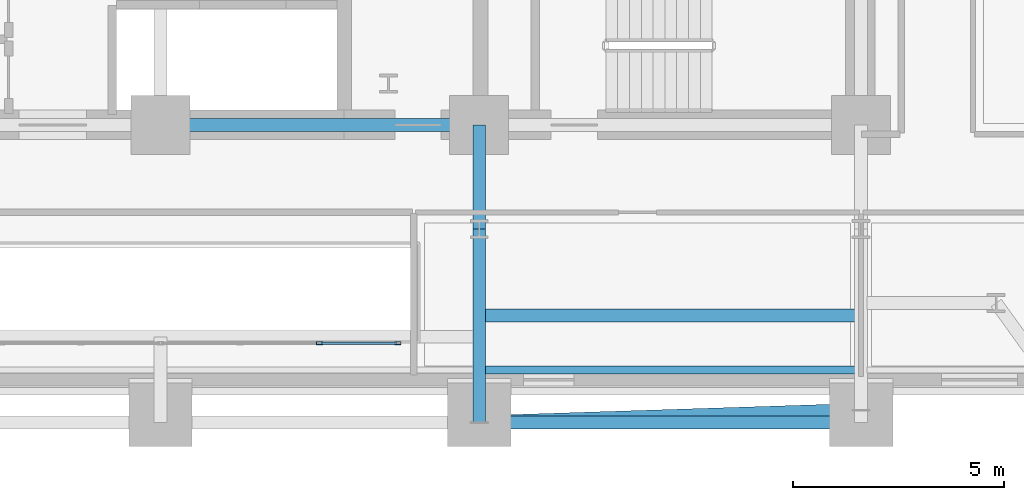
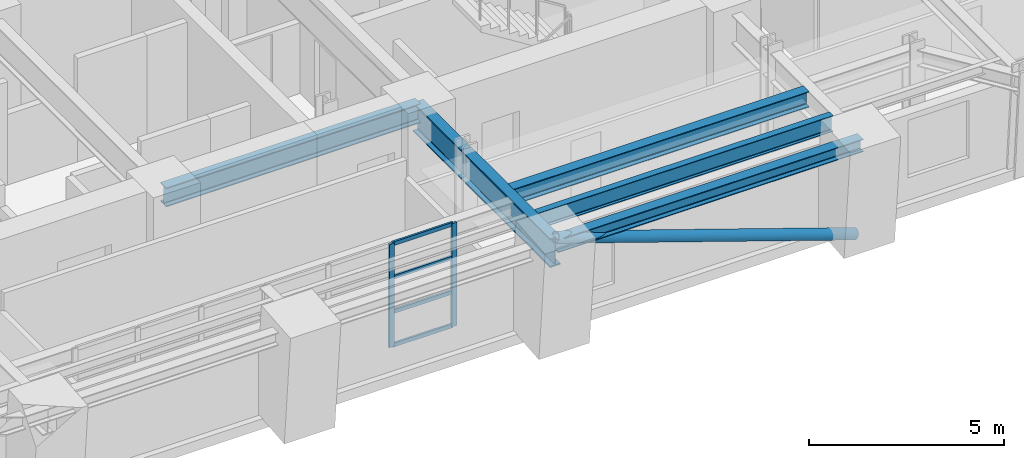
# One storey, part 5 of 15: 7 members, 6 beams, 1 element without a shape of its own.
"""IFC4 building model written with IfcOpenShell, lengths in metres."""

from ifc_helpers import new_model, si_unit, direction, frame, origin, origin_2d, place, context, subcontext, project, spatial, hollow_rectangle, hollow_circle, i_section, extrude, material, layer, layer_set, material_profile, profile_set, type_object, element, aggregate, save


model = new_model("IFC4")

# Units and contexts
model_context = context("Model", 3, precision=1e-05, world=origin(), true_north=direction((0.0, 1.0)))
body_context = subcontext(model_context, "Body", "Model", "MODEL_VIEW")
ifc_project = project(units=[si_unit("LENGTHUNIT", "METRE"), si_unit("AREAUNIT", "SQUARE_METRE"), si_unit("VOLUMEUNIT", "CUBIC_METRE"), si_unit("PLANEANGLEUNIT", "RADIAN"), si_unit("MASSUNIT", "GRAM", prefix="KILO")], contexts=[model_context])

# Site, building, storey
site_placement = place(None, origin())
site = spatial("IfcSite", under=ifc_project, at=site_placement, CompositionType="ELEMENT")
building_placement = place(site_placement, origin())
building = spatial("IfcBuilding", under=site, at=building_placement, Name="Zarnavel Station Tower", CompositionType="ELEMENT")
storey_placement = place(building_placement, frame((0.0, 0.0, 57.0)))
storey = spatial("IfcBuildingStorey", under=building, at=storey_placement, Name="L15", CompositionType="ELEMENT", Elevation=57.0)

# Curtain wall, members
ifc_material_1 = material(Name="Aluminium Dark Anodised and Solar-Control Glass", Category="aluminium")
ifc_layer = layer(ifc_material_1, 0.179931640625)
ifc_layer_set = layer_set([ifc_layer], Name="CWS2")
curtain_wall_type = type_object("IfcCurtainWallType", Name="CWS2", PredefinedType="NOTDEFINED", material=ifc_layer_set)
curtain_wall_placement = place(storey_placement, origin())
curtain_wall = element("IfcCurtainWall", 1, at=curtain_wall_placement, inside=storey, type_object=curtain_wall_type, Name="L15 Curtain Wall CWS2-L15-AS", PredefinedType="NOTDEFINED")
ifc_material_2 = material(Name="Steel S355J2 (Black Fluoropolymer Coated)", Category="steel")
ifc_material_profile_1 = material_profile(ifc_material_2, hollow_rectangle(XDim=0.074951171875, YDim=0.14990234375, WallThickness=0.00634765625, at=origin_2d()), Name="RHS150x75x6.3")
ifc_profile_set_1 = profile_set([ifc_material_profile_1], Name="Steel S355J2 (Black Fluoropolymer Coated)")
member_type_1 = type_object("IfcMemberType", Name="CWS2_MUL", PredefinedType="MULLION", material=ifc_profile_set_1)
member_1_placement = place(storey_placement, frame((32.566650390625, 22.64990234375, 0.0), z_axis=(0.0, 0.0, 1.0), x_axis=(0.0, 1.0, 0.0)))
member_1 = element("IfcMember", 2, at=member_1_placement, type_object=member_type_1, Name="CW2 mullion 6", PredefinedType="MULLION", context=body_context, shape_type="SweptSolid", body=[
    extrude(hollow_rectangle(XDim=0.074951171875, YDim=0.14990234375, WallThickness=0.00634765625, at=origin_2d()), origin(), (0.0, 0.0, 1.0), 3.239990234375),
])
member_2_placement = place(storey_placement, frame((34.419921875, 22.64990234375, 0.0), z_axis=(0.0, 0.0, 1.0), x_axis=(0.0, 1.0, 0.0)))
member_2 = element("IfcMember", 3, at=member_2_placement, type_object=member_type_1, Name="CW2 mullion 7", PredefinedType="MULLION", context=body_context, shape_type="SweptSolid", body=[
    extrude(hollow_rectangle(XDim=0.074951171875, YDim=0.14990234375, WallThickness=0.00634765625, at=origin_2d()), origin(), (0.0, 0.0, 1.0), 3.239990234375),
])
ifc_material_3 = material(Name="Steel S355J2 (Black Fluoropolymer Coated)", Category="steel")
ifc_material_profile_2 = material_profile(ifc_material_3, hollow_rectangle(XDim=0.06005859375, YDim=0.1201171875, WallThickness=0.0048828125, at=origin_2d()), Name="RHS120x60x5")
ifc_profile_set_2 = profile_set([ifc_material_profile_2], Name="Steel S355J2 (Black Fluoropolymer Coated)")
member_type_2 = type_object("IfcMemberType", Name="CWS2_TRN", PredefinedType="USERDEFINED", material=ifc_profile_set_2)
member_3_placement = place(storey_placement, frame((32.5966796875, 22.64990234375, 0.030029296875), z_axis=(1.0, 0.0, 0.0), x_axis=(0.0, 1.0, 0.0)))
member_3 = element("IfcMember", 4, at=member_3_placement, type_object=member_type_2, Name="CW2 transom 6.1", ObjectType="TRANSOM", PredefinedType="USERDEFINED", context=body_context, shape_type="SweptSolid", body=[
    extrude(hollow_rectangle(XDim=0.06005859375, YDim=0.1201171875, WallThickness=0.0048828125, at=origin_2d()), origin(), (0.0, 0.0, 1.0), 1.793212890625),
])
member_4_placement = place(storey_placement, frame((32.5966796875, 22.64990234375, 1.080078125), z_axis=(1.0, 0.0, 0.0), x_axis=(0.0, 1.0, 0.0)))
member_4 = element("IfcMember", 5, at=member_4_placement, type_object=member_type_2, Name="CW2 transom 6.2", ObjectType="TRANSOM", PredefinedType="USERDEFINED", context=body_context, shape_type="SweptSolid", body=[
    extrude(hollow_rectangle(XDim=0.06005859375, YDim=0.1201171875, WallThickness=0.0048828125, at=origin_2d()), origin(), (0.0, 0.0, 1.0), 1.793212890625),
])
member_5_placement = place(storey_placement, frame((32.5966796875, 22.64990234375, 2.159912109375), z_axis=(1.0, 0.0, 0.0), x_axis=(0.0, 1.0, 0.0)))
member_5 = element("IfcMember", 6, at=member_5_placement, type_object=member_type_2, Name="CW2 transom 6.3", ObjectType="TRANSOM", PredefinedType="USERDEFINED", context=body_context, shape_type="SweptSolid", body=[
    extrude(hollow_rectangle(XDim=0.06005859375, YDim=0.1201171875, WallThickness=0.0048828125, at=origin_2d()), origin(), (0.0, 0.0, 1.0), 1.793212890625),
])
member_6_placement = place(storey_placement, frame((32.5966796875, 22.64990234375, 3.2099609375), z_axis=(1.0, 0.0, 0.0), x_axis=(0.0, 1.0, 0.0)))
member_6 = element("IfcMember", 7, at=member_6_placement, type_object=member_type_2, Name="CW2 transom 6.4", ObjectType="TRANSOM", PredefinedType="USERDEFINED", context=body_context, shape_type="SweptSolid", body=[
    extrude(hollow_rectangle(XDim=0.06005859375, YDim=0.1201171875, WallThickness=0.0048828125, at=origin_2d()), origin(), (0.0, 0.0, 1.0), 1.793212890625),
])
aggregate(curtain_wall, [member_1, member_2, member_3, member_4, member_5, member_6])

# Member
ifc_material_4 = material(Name="Steel S355J2", Category="steel")
ifc_material_profile_3 = material_profile(ifc_material_4, hollow_circle(Radius=0.161865234375, WallThickness=0.012451171875, at=origin_2d()), Name="CHS323.9x12.5")
ifc_profile_set_3 = profile_set([ifc_material_profile_3], Name="Steel S355J2")
member_type_3 = type_object("IfcMemberType", Name="DB_EXT_CHS324", PredefinedType="BRACE", material=ifc_profile_set_3)
member_7_placement = place(storey_placement, frame((45.39990234375, 21.0625, 0.0), z_axis=(-0.941042303893, -0.030515076327, 0.336909798612), x_axis=(0.032409856061, -0.999474662625, 0.0)))
element("IfcMember", 8, at=member_7_placement, inside=storey, type_object=member_type_3, Name="L15 Persian Exterior Diagonal Frame Brace 2", PredefinedType="BRACE", context=body_context, shape_type="SweptSolid", body=[
    extrude(hollow_circle(Radius=0.161865234375, WallThickness=0.012451171875, at=origin_2d()), origin(), (0.0, 0.0, 1.0), 9.61669921875),
])

# Beams
ifc_material_5 = material(Name="Steel S355J2", Category="steel")
ifc_material_profile_4 = material_profile(ifc_material_5, i_section(OverallWidth=0.300048828125, OverallDepth=0.39990234375, WebThickness=0.013427734375, FlangeThickness=0.02392578125, FilletRadius=0.027099609375, at=origin_2d()), Name="HEB400")
ifc_profile_set_4 = profile_set([ifc_material_profile_4], Name="Steel S355J2")
beam_type_1 = type_object("IfcBeamType", Name="EB_HEB400", PredefinedType="SPANDREL", material=ifc_profile_set_4)
beam_1_placement = place(storey_placement, frame((36.35009765625, 20.76904296875, 3.0400390625), z_axis=(1.0, 0.0, 0.0), x_axis=(0.0, 1.0, 0.0)))
element("IfcBeam", 9, at=beam_1_placement, inside=storey, type_object=beam_type_1, Name="L15 South Raked Spandrel 4", PredefinedType="SPANDREL", context=body_context, shape_type="SweptSolid", body=[
    extrude(i_section(OverallWidth=0.300048828125, OverallDepth=0.39990234375, WebThickness=0.013427734375, FlangeThickness=0.02392578125, FilletRadius=0.027099609375, at=origin_2d()), origin(), (0.0, 0.0, 1.0), 9.0498046875),
])
ifc_material_6 = material(Name="Steel S355J2", Category="steel")
ifc_material_profile_5 = material_profile(ifc_material_6, i_section(OverallWidth=0.300048828125, OverallDepth=0.489990234375, WebThickness=0.011962890625, FlangeThickness=0.02294921875, FilletRadius=0.027099609375, at=origin_2d()), Name="HEA500")
ifc_profile_set_5 = profile_set([ifc_material_profile_5], Name="Steel S355J2")
beam_type_2 = type_object("IfcBeamType", Name="FB_HEA500", PredefinedType="BEAM", material=ifc_profile_set_5)
beam_2_placement = place(storey_placement, frame((36.4951171875, 23.306396484375, 2.9951171875), z_axis=(1.0, 0.0, 0.0), x_axis=(0.0, 1.0, 0.0)))
element("IfcBeam", 10, at=beam_2_placement, inside=storey, type_object=beam_type_2, Name="L15 East Bay Beam 2", PredefinedType="BEAM", context=body_context, shape_type="SweptSolid", body=[
    extrude(i_section(OverallWidth=0.300048828125, OverallDepth=0.489990234375, WebThickness=0.011962890625, FlangeThickness=0.02294921875, FilletRadius=0.027099609375, at=origin_2d()), origin(), (0.0, 0.0, 1.0), 8.759765625),
])
ifc_material_7 = material(Name="Steel S355J2", Category="steel")
ifc_material_profile_6 = material_profile(ifc_material_7, i_section(OverallWidth=0.199951171875, OverallDepth=0.5, WebThickness=0.01025390625, FlangeThickness=0.01611328125, FilletRadius=0.02099609375, at=origin_2d()), Name="IPE500")
ifc_profile_set_6 = profile_set([ifc_material_profile_6], Name="Steel S355J2")
beam_type_3 = type_object("IfcBeamType", Name="FB_IPE500", PredefinedType="BEAM", material=ifc_profile_set_6)
beam_3_placement = place(storey_placement, frame((36.4951171875, 22.0126953125, 2.989990234375), z_axis=(1.0, 0.0, 0.0), x_axis=(0.0, 1.0, 0.0)))
element("IfcBeam", 11, at=beam_3_placement, inside=storey, type_object=beam_type_3, Name="L15 East Bay Beam 1", PredefinedType="BEAM", context=body_context, shape_type="SweptSolid", body=[
    extrude(i_section(OverallWidth=0.199951171875, OverallDepth=0.5, WebThickness=0.01025390625, FlangeThickness=0.01611328125, FilletRadius=0.02099609375, at=origin_2d()), origin(), (0.0, 0.0, 1.0), 8.759765625),
])
ifc_material_8 = material(Name="Steel S355J2", Category="steel")
ifc_material_profile_7 = material_profile(ifc_material_8, i_section(OverallWidth=0.300048828125, OverallDepth=0.60009765625, WebThickness=0.015380859375, FlangeThickness=0.030029296875, FilletRadius=0.027099609375, at=origin_2d()), Name="HEB600")
ifc_profile_set_7 = profile_set([ifc_material_profile_7], Name="Steel S355J2")
beam_type_4 = type_object("IfcBeamType", Name="FG_HEB600", PredefinedType="USERDEFINED", material=ifc_profile_set_7)
beam_4_placement = place(storey_placement, frame((28.800048828125, 27.820068359375, 2.93994140625), z_axis=(1.0, 0.0, 0.0), x_axis=(0.0, 1.0, 0.0)))
element("IfcBeam", 12, at=beam_4_placement, inside=storey, type_object=beam_type_4, Name="L15 Core Front Coupling Beam 3", ObjectType="GIRDER", PredefinedType="USERDEFINED", context=body_context, shape_type="SweptSolid", body=[
    extrude(i_section(OverallWidth=0.300048828125, OverallDepth=0.60009765625, WebThickness=0.015380859375, FlangeThickness=0.030029296875, FilletRadius=0.027099609375, at=origin_2d()), origin(), (0.0, 0.0, 1.0), 7.550048828125),
])
ifc_material_9 = material(Name="Steel S460M", Category="steel")
ifc_material_profile_8 = material_profile(ifc_material_9, i_section(OverallWidth=0.302001953125, OverallDepth=0.909912109375, WebThickness=0.02099609375, FlangeThickness=0.0400390625, FilletRadius=0.030029296875, at=origin_2d()), Name="HEM900")
ifc_profile_set_8 = profile_set([ifc_material_profile_8], Name="Steel S460M")
beam_type_5 = type_object("IfcBeamType", Name="TG_HEM900", PredefinedType="USERDEFINED", material=ifc_profile_set_8)
beam_5_placement = place(storey_placement, frame((36.35009765625, 20.76904296875, 2.784912109375), z_axis=(0.0, 1.0, 0.0), x_axis=(-1.0, 0.0, 0.0)))
element("IfcBeam", 13, at=beam_5_placement, inside=storey, type_object=beam_type_5, Name="L15 South-Zone NS Girder 4", ObjectType="GIRDER", PredefinedType="USERDEFINED", context=body_context, shape_type="SweptSolid", body=[
    extrude(i_section(OverallWidth=0.302001953125, OverallDepth=0.909912109375, WebThickness=0.02099609375, FlangeThickness=0.0400390625, FilletRadius=0.030029296875, at=origin_2d()), origin(), (0.0, 0.0, 1.0), 4.5810546875),
])
beam_6_placement = place(storey_placement, frame((36.35009765625, 25.35009765625, 2.784912109375), z_axis=(0.0, 1.0, 0.0), x_axis=(-1.0, 0.0, 0.0)))
element("IfcBeam", 14, at=beam_6_placement, inside=storey, type_object=beam_type_5, Name="L15 Inner-Zone NS Girder 4", ObjectType="GIRDER", PredefinedType="USERDEFINED", context=body_context, shape_type="SweptSolid", body=[
    extrude(i_section(OverallWidth=0.302001953125, OverallDepth=0.909912109375, WebThickness=0.02099609375, FlangeThickness=0.0400390625, FilletRadius=0.030029296875, at=origin_2d()), origin(), (0.0, 0.0, 1.0), 2.469970703125),
])

save(model, "model.ifc")
